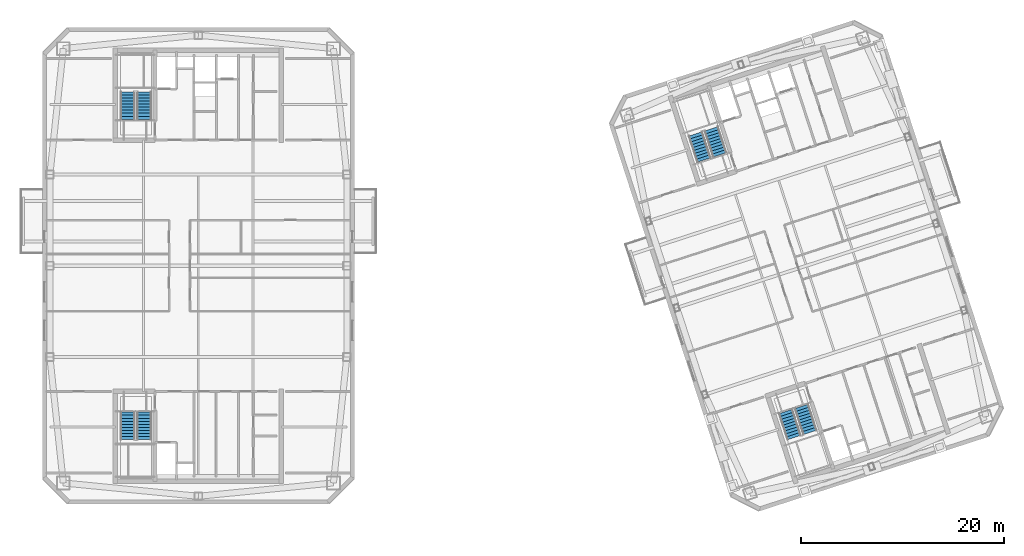
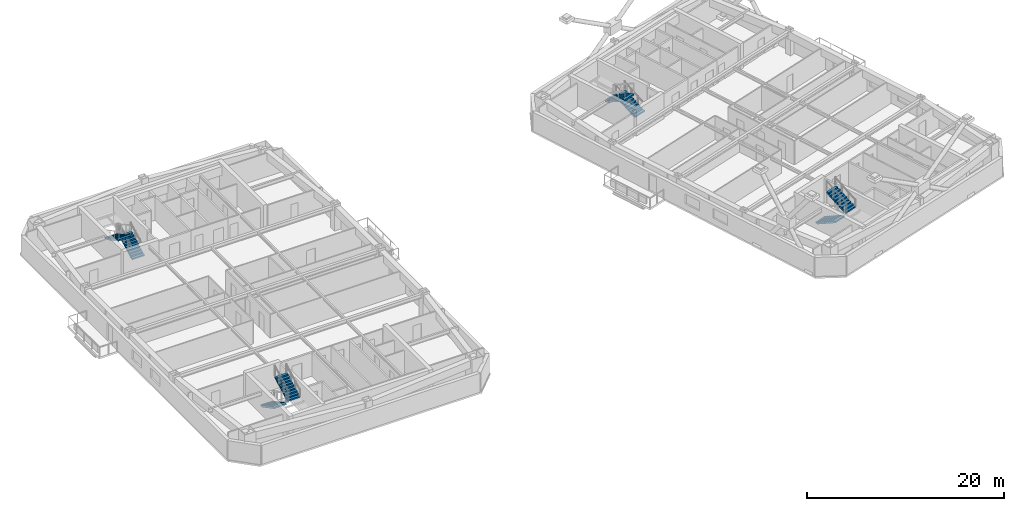
# One storey, part 12 of 16: 8 stair flights, 4 elements without a shape of their own.
"""IFC4 building model written with IfcOpenShell, lengths in metres."""

from ifc_helpers import new_model, si_unit, direction, frame, origin, place, context, subcontext, project, spatial, polyline, outline, extrude, material, type_object, element, aggregate, save


model = new_model("IFC4")

# Units and contexts
model_context = context("Model", 3, precision=1e-05, world=origin(), true_north=direction((0.0, 1.0)))
body_context = subcontext(model_context, "Body", "Model", "MODEL_VIEW")
ifc_project = project(units=[si_unit("LENGTHUNIT", "METRE"), si_unit("AREAUNIT", "SQUARE_METRE"), si_unit("VOLUMEUNIT", "CUBIC_METRE"), si_unit("PLANEANGLEUNIT", "RADIAN"), si_unit("MASSUNIT", "GRAM", prefix="KILO")], contexts=[model_context])

# Site, building, storey
site_placement = place(None, origin())
site = spatial("IfcSite", under=ifc_project, at=site_placement, CompositionType="ELEMENT")
building_placement = place(site_placement, origin())
building = spatial("IfcBuilding", under=site, at=building_placement, Name="Qiaolan Cultural Towers", CompositionType="ELEMENT")
storey_placement = place(building_placement, frame((0.0, 0.0, 240.800048828125)))
storey = spatial("IfcBuildingStorey", under=building, at=storey_placement, Name="L65", CompositionType="ELEMENT", Elevation=240.800048828125)

# Stair, stair flights
ifc_material_1 = material(Name="Concrete C45", Category="concrete")
stair_type = type_object("IfcStairType", Name="STR-CORE-1500", PredefinedType="HALF_TURN_STAIR", material=ifc_material_1)
stair_1_placement = place(storey_placement, origin())
stair_1 = element("IfcStair", 1, at=stair_1_placement, inside=storey, type_object=stair_type, Name="L65 Smokeproof Exit Stair ST-W1", PredefinedType="HALF_TURN_STAIR")
ifc_material_2 = material(Name="Concrete C45", Category="concrete")
stair_flight_type = type_object("IfcStairFlightType", Name="STR-CORE-1500-FL", PredefinedType="STRAIGHT", material=ifc_material_2)
stair_flight_1_placement = place(storey_placement, frame((23.02001953125, 19.550048828125, 0.0), z_axis=(0.0, 0.0, 1.0), x_axis=(0.0, -1.0, 0.0)))
stair_flight_1 = element("IfcStairFlight", 2, at=stair_flight_1_placement, type_object=stair_flight_type, Name="ST-W1 flight 1", NumberOfRisers=10, NumberOfTreads=9, PredefinedType="STRAIGHT", RiserHeight=0.16, TreadLength=0.3, context=body_context, shape_type="SweptSolid", body=[
    extrude(outline(polyline([(0.0, 0.0), (0.0, 0.159912109375), (0.300048828125, 0.159912109375), (0.300048828125, 0.320068359375), (0.60009765625, 0.320068359375), (0.60009765625, 0.47998046875), (0.89990234375, 0.47998046875), (0.89990234375, 0.639892578125), (1.199951171875, 0.639892578125), (1.199951171875, 0.800048828125), (1.5, 0.800048828125), (1.5, 0.9599609375), (1.800048828125, 0.9599609375), (1.800048828125, 1.1201171875), (2.10009765625, 1.1201171875), (2.10009765625, 1.280029296875), (2.39990234375, 1.280029296875), (2.39990234375, 1.43994140625), (2.699951171875, 1.43994140625), (2.699951171875, 1.60009765625), (2.699951171875, 1.27001953125), (0.318603515625, 0.0), (0.0, 0.0)])), frame((0.0, 0.719970703125, 0.0), z_axis=(0.0, -1.0, 0.0), x_axis=(1.0, 0.0, 0.0)), (0.0, 0.0, 1.0), 1.43994140625),
])
stair_flight_2_placement = place(storey_placement, frame((24.659912109375, 16.85009765625, 1.599853515625), z_axis=(0.0, 0.0, 1.0), x_axis=(0.0, 1.0, 0.0)))
stair_flight_2 = element("IfcStairFlight", 3, at=stair_flight_2_placement, type_object=stair_flight_type, Name="ST-W1 flight 2", NumberOfRisers=10, NumberOfTreads=9, PredefinedType="STRAIGHT", RiserHeight=0.16, TreadLength=0.3, context=body_context, shape_type="SweptSolid", body=[
    extrude(outline(polyline([(0.0, 0.0), (0.0, 0.159912109375), (0.300048828125, 0.159912109375), (0.300048828125, 0.320068359375), (0.60009765625, 0.320068359375), (0.60009765625, 0.47998046875), (0.89990234375, 0.47998046875), (0.89990234375, 0.639892578125), (1.199951171875, 0.639892578125), (1.199951171875, 0.800048828125), (1.5, 0.800048828125), (1.5, 0.9599609375), (1.800048828125, 0.9599609375), (1.800048828125, 1.1201171875), (2.10009765625, 1.1201171875), (2.10009765625, 1.280029296875), (2.39990234375, 1.280029296875), (2.39990234375, 1.43994140625), (2.699951171875, 1.43994140625), (2.699951171875, 1.60009765625), (2.699951171875, 1.27001953125), (0.318603515625, 0.0), (0.0, 0.0)])), frame((0.0, 0.719970703125, 0.0), z_axis=(0.0, -1.0, 0.0), x_axis=(1.0, 0.0, 0.0)), (0.0, 0.0, 1.0), 1.43994140625),
])
aggregate(stair_1, [stair_flight_1, stair_flight_2])

stair_2_placement = place(storey_placement, origin())
stair_2 = element("IfcStair", 4, at=stair_2_placement, inside=storey, type_object=stair_type, Name="L65 Smokeproof Exit Stair ST-W2", PredefinedType="HALF_TURN_STAIR")
stair_flight_3_placement = place(storey_placement, frame((24.659912109375, 48.449951171875, 0.0), z_axis=(0.0, 0.0, 1.0), x_axis=(0.0, 1.0, 0.0)))
stair_flight_3 = element("IfcStairFlight", 5, at=stair_flight_3_placement, type_object=stair_flight_type, Name="ST-W2 flight 1", NumberOfRisers=10, NumberOfTreads=9, PredefinedType="STRAIGHT", RiserHeight=0.16, TreadLength=0.3, context=body_context, shape_type="SweptSolid", body=[
    extrude(outline(polyline([(0.0, 0.0), (0.0, 0.159912109375), (0.300048828125, 0.159912109375), (0.300048828125, 0.320068359375), (0.60009765625, 0.320068359375), (0.60009765625, 0.47998046875), (0.89990234375, 0.47998046875), (0.89990234375, 0.639892578125), (1.199951171875, 0.639892578125), (1.199951171875, 0.800048828125), (1.5, 0.800048828125), (1.5, 0.9599609375), (1.800048828125, 0.9599609375), (1.800048828125, 1.1201171875), (2.10009765625, 1.1201171875), (2.10009765625, 1.280029296875), (2.39990234375, 1.280029296875), (2.39990234375, 1.43994140625), (2.699951171875, 1.43994140625), (2.699951171875, 1.60009765625), (2.699951171875, 1.27001953125), (0.318603515625, 0.0), (0.0, 0.0)])), frame((0.0, 0.719970703125, 0.0), z_axis=(0.0, -1.0, 0.0), x_axis=(1.0, 0.0, 0.0)), (0.0, 0.0, 1.0), 1.43994140625),
])
stair_flight_4_placement = place(storey_placement, frame((23.02001953125, 51.14990234375, 1.599853515625), z_axis=(0.0, 0.0, 1.0), x_axis=(0.0, -1.0, 0.0)))
stair_flight_4 = element("IfcStairFlight", 6, at=stair_flight_4_placement, type_object=stair_flight_type, Name="ST-W2 flight 2", NumberOfRisers=10, NumberOfTreads=9, PredefinedType="STRAIGHT", RiserHeight=0.16, TreadLength=0.3, context=body_context, shape_type="SweptSolid", body=[
    extrude(outline(polyline([(0.0, 0.0), (0.0, 0.159912109375), (0.300048828125, 0.159912109375), (0.300048828125, 0.320068359375), (0.60009765625, 0.320068359375), (0.60009765625, 0.47998046875), (0.89990234375, 0.47998046875), (0.89990234375, 0.639892578125), (1.199951171875, 0.639892578125), (1.199951171875, 0.800048828125), (1.5, 0.800048828125), (1.5, 0.9599609375), (1.800048828125, 0.9599609375), (1.800048828125, 1.1201171875), (2.10009765625, 1.1201171875), (2.10009765625, 1.280029296875), (2.39990234375, 1.280029296875), (2.39990234375, 1.43994140625), (2.699951171875, 1.43994140625), (2.699951171875, 1.60009765625), (2.699951171875, 1.27001953125), (0.318603515625, 0.0), (0.0, 0.0)])), frame((0.0, 0.719970703125, 0.0), z_axis=(0.0, -1.0, 0.0), x_axis=(1.0, 0.0, 0.0)), (0.0, 0.0, 1.0), 1.43994140625),
])
aggregate(stair_2, [stair_flight_3, stair_flight_4])

stair_3_placement = place(storey_placement, origin())
stair_3 = element("IfcStair", 7, at=stair_3_placement, inside=storey, type_object=stair_type, Name="L65 Smokeproof Exit Stair ST-E1", PredefinedType="HALF_TURN_STAIR")
stair_flight_5_placement = place(storey_placement, frame((87.96484375, 19.6171875, 0.0), z_axis=(0.0, 0.0, 1.0), x_axis=(0.309016994375, -0.951056516295, 0.0)))
stair_flight_5 = element("IfcStairFlight", 8, at=stair_flight_5_placement, type_object=stair_flight_type, Name="ST-E1 flight 1", NumberOfRisers=10, NumberOfTreads=9, PredefinedType="STRAIGHT", RiserHeight=0.16, TreadLength=0.3, context=body_context, shape_type="SweptSolid", body=[
    extrude(outline(polyline([(0.0, 0.0), (0.0, 0.159912109375), (0.300048828125, 0.159912109375), (0.300048828125, 0.320068359375), (0.60009765625, 0.320068359375), (0.60009765625, 0.47998046875), (0.89990234375, 0.47998046875), (0.89990234375, 0.639892578125), (1.199951171875, 0.639892578125), (1.199951171875, 0.800048828125), (1.5, 0.800048828125), (1.5, 0.9599609375), (1.800048828125, 0.9599609375), (1.800048828125, 1.1201171875), (2.10009765625, 1.1201171875), (2.10009765625, 1.280029296875), (2.39990234375, 1.280029296875), (2.39990234375, 1.43994140625), (2.699951171875, 1.43994140625), (2.699951171875, 1.60009765625), (2.699951171875, 1.27001953125), (0.318603515625, 0.0), (0.0, 0.0)])), frame((0.0, 0.719970703125, 0.0), z_axis=(0.0, -1.0, 0.0), x_axis=(1.0, 0.0, 0.0)), (0.0, 0.0, 1.0), 1.43994140625),
])
stair_flight_6_placement = place(storey_placement, frame((90.359130859375, 17.55615234375, 1.599853515625), z_axis=(0.0, 0.0, 1.0), x_axis=(-0.309016994375, 0.951056516295, 0.0)))
stair_flight_6 = element("IfcStairFlight", 9, at=stair_flight_6_placement, type_object=stair_flight_type, Name="ST-E1 flight 2", NumberOfRisers=10, NumberOfTreads=9, PredefinedType="STRAIGHT", RiserHeight=0.16, TreadLength=0.3, context=body_context, shape_type="SweptSolid", body=[
    extrude(outline(polyline([(0.0, 0.0), (0.0, 0.159912109375), (0.300048828125, 0.159912109375), (0.300048828125, 0.320068359375), (0.60009765625, 0.320068359375), (0.60009765625, 0.47998046875), (0.89990234375, 0.47998046875), (0.89990234375, 0.639892578125), (1.199951171875, 0.639892578125), (1.199951171875, 0.800048828125), (1.5, 0.800048828125), (1.5, 0.9599609375), (1.800048828125, 0.9599609375), (1.800048828125, 1.1201171875), (2.10009765625, 1.1201171875), (2.10009765625, 1.280029296875), (2.39990234375, 1.280029296875), (2.39990234375, 1.43994140625), (2.699951171875, 1.43994140625), (2.699951171875, 1.60009765625), (2.699951171875, 1.27001953125), (0.318603515625, 0.0), (0.0, 0.0)])), frame((0.0, 0.719970703125, 0.0), z_axis=(0.0, -1.0, 0.0), x_axis=(1.0, 0.0, 0.0)), (0.0, 0.0, 1.0), 1.43994140625),
])
aggregate(stair_3, [stair_flight_5, stair_flight_6])

stair_4_placement = place(storey_placement, origin())
stair_4 = element("IfcStair", 10, at=stair_4_placement, inside=storey, type_object=stair_type, Name="L65 Smokeproof Exit Stair ST-E2", PredefinedType="HALF_TURN_STAIR")
stair_flight_7_placement = place(storey_placement, frame((81.459228515625, 44.946533203125, 0.0), z_axis=(0.0, 0.0, 1.0), x_axis=(-0.309016994375, 0.951056516295, 0.0)))
stair_flight_7 = element("IfcStairFlight", 11, at=stair_flight_7_placement, type_object=stair_flight_type, Name="ST-E2 flight 1", NumberOfRisers=10, NumberOfTreads=9, PredefinedType="STRAIGHT", RiserHeight=0.16, TreadLength=0.3, context=body_context, shape_type="SweptSolid", body=[
    extrude(outline(polyline([(0.0, 0.0), (0.0, 0.159912109375), (0.300048828125, 0.159912109375), (0.300048828125, 0.320068359375), (0.60009765625, 0.320068359375), (0.60009765625, 0.47998046875), (0.89990234375, 0.47998046875), (0.89990234375, 0.639892578125), (1.199951171875, 0.639892578125), (1.199951171875, 0.800048828125), (1.5, 0.800048828125), (1.5, 0.9599609375), (1.800048828125, 0.9599609375), (1.800048828125, 1.1201171875), (2.10009765625, 1.1201171875), (2.10009765625, 1.280029296875), (2.39990234375, 1.280029296875), (2.39990234375, 1.43994140625), (2.699951171875, 1.43994140625), (2.699951171875, 1.60009765625), (2.699951171875, 1.27001953125), (0.318603515625, 0.0), (0.0, 0.0)])), frame((0.0, 0.719970703125, 0.0), z_axis=(0.0, -1.0, 0.0), x_axis=(1.0, 0.0, 0.0)), (0.0, 0.0, 1.0), 1.43994140625),
])
stair_flight_8_placement = place(storey_placement, frame((79.065185546875, 47.007568359375, 1.599853515625), z_axis=(0.0, 0.0, 1.0), x_axis=(0.309016994375, -0.951056516295, 0.0)))
stair_flight_8 = element("IfcStairFlight", 12, at=stair_flight_8_placement, type_object=stair_flight_type, Name="ST-E2 flight 2", NumberOfRisers=10, NumberOfTreads=9, PredefinedType="STRAIGHT", RiserHeight=0.16, TreadLength=0.3, context=body_context, shape_type="SweptSolid", body=[
    extrude(outline(polyline([(0.0, 0.0), (0.0, 0.159912109375), (0.300048828125, 0.159912109375), (0.300048828125, 0.320068359375), (0.60009765625, 0.320068359375), (0.60009765625, 0.47998046875), (0.89990234375, 0.47998046875), (0.89990234375, 0.639892578125), (1.199951171875, 0.639892578125), (1.199951171875, 0.800048828125), (1.5, 0.800048828125), (1.5, 0.9599609375), (1.800048828125, 0.9599609375), (1.800048828125, 1.1201171875), (2.10009765625, 1.1201171875), (2.10009765625, 1.280029296875), (2.39990234375, 1.280029296875), (2.39990234375, 1.43994140625), (2.699951171875, 1.43994140625), (2.699951171875, 1.60009765625), (2.699951171875, 1.27001953125), (0.318603515625, 0.0), (0.0, 0.0)])), frame((0.0, 0.719970703125, 0.0), z_axis=(0.0, -1.0, 0.0), x_axis=(1.0, 0.0, 0.0)), (0.0, 0.0, 1.0), 1.43994140625),
])
aggregate(stair_4, [stair_flight_7, stair_flight_8])

save(model, "model.ifc")
